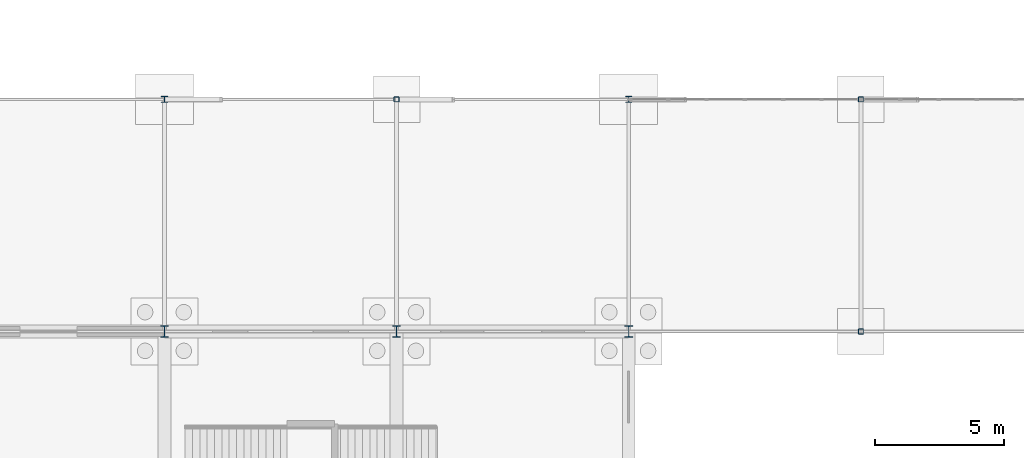
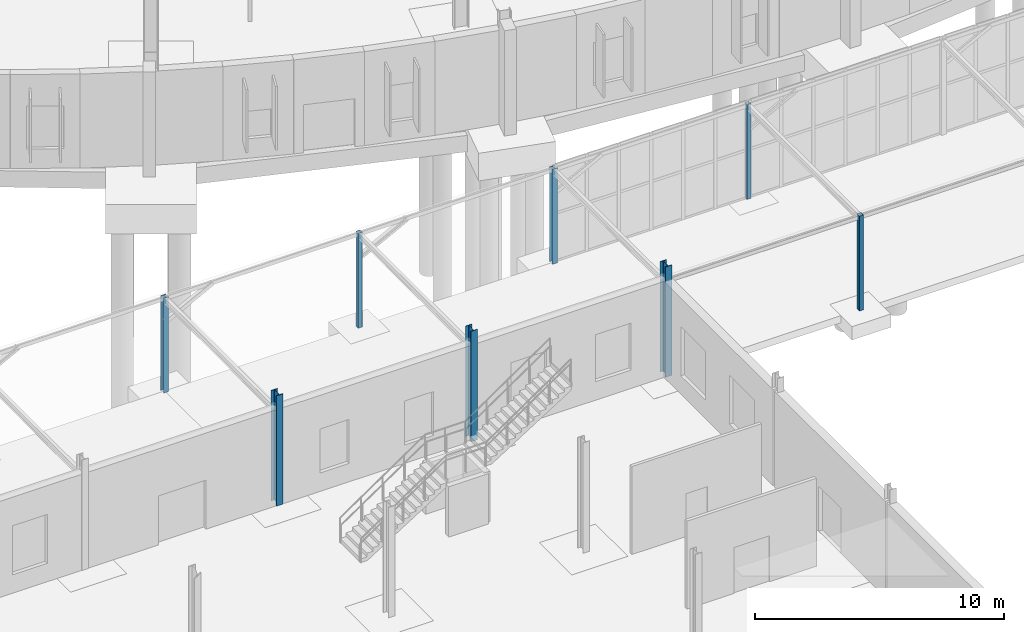
# One storey, part 20 of 118: 8 columns.
"""IFC4 building model written with IfcOpenShell, lengths in metres."""

import ifcopenshell
import ifcopenshell.guid

model = None  # the IFC model being written
_history = None  # IfcOwnerHistory: only IFC2X3 demands one
_inside = {}  # id of a spatial element -> (the spatial element, [elements in it])
_under = {}  # id of a project, library or spatial element -> (it, [spatial elements below it])
_declared = {}  # id of a project -> (the project, [libraries it declares])
_typed = {}  # id of a type object -> (the type object, [elements of that type])
_made_of = {}  # id of a material, layer set ... -> (it, [elements and type objects made of it])


def new_model(schema):
    """Start an empty IFC model of exactly this schema.

    Asked for "IFC4X3", IfcOpenShell would pick the latest addendum, in which some entities
    have other attributes; the version numbers below select the first issue.
    IFC2X3 requires an IfcOwnerHistory on every rooted entity: one is made here for all.
    """
    global model, _history
    if schema == "IFC4X3":
        model = ifcopenshell.file(schema_version=(4, 3, 0, 0))
    else:
        model = ifcopenshell.file(schema=schema)
    _inside.clear()
    _under.clear()
    _declared.clear()
    _typed.clear()
    _made_of.clear()
    _history = None
    if model.schema == "IFC2X3":
        org = make("IfcOrganization", Name="unknown")
        user = make(
            "IfcPersonAndOrganization",
            ThePerson=make("IfcPerson", FamilyName="unknown"),
            TheOrganization=org,
        )
        app = make(
            "IfcApplication",
            ApplicationDeveloper=org,
            Version="unknown",
            ApplicationFullName="unknown",
            ApplicationIdentifier="unknown",
        )
        _history = make(
            "IfcOwnerHistory",
            OwningUser=user,
            OwningApplication=app,
            ChangeAction="ADDED",
            CreationDate=0,
        )
    return model


def make(cls, **values):
    """One entity of the class cls with the attributes given. An attribute that is None is left unset."""
    return model.create_entity(
        cls, **{name: value for name, value in values.items() if value is not None}
    )


def rooted(cls, **values):
    """An entity with a GlobalId (a new one), such as an element, a storey or a relation."""
    return make(cls, GlobalId=ifcopenshell.guid.new(), OwnerHistory=_history, **values)


def si_unit(unit_type, name, prefix=None):
    """IfcSIUnit, for example si_unit("LENGTHUNIT", "METRE", prefix="MILLI")."""
    return make("IfcSIUnit", UnitType=unit_type, Prefix=prefix, Name=name)


def assignment(units):
    """IfcUnitAssignment: the units of a project."""
    return None if units is None else make("IfcUnitAssignment", Units=units)


def point(xyz):
    """IfcCartesianPoint."""
    return None if xyz is None else make("IfcCartesianPoint", Coordinates=xyz)


def direction(xyz):
    """IfcDirection."""
    return None if xyz is None else make("IfcDirection", DirectionRatios=xyz)


def frame(location, z_axis=None, x_axis=None):
    """IfcAxis2Placement3D, a coordinate frame: its origin and axes. An axis left out is left unset."""
    return make(
        "IfcAxis2Placement3D",
        Location=point(location),
        Axis=direction(z_axis),
        RefDirection=direction(x_axis),
    )


def frame_2d(location, x_axis=None):
    """IfcAxis2Placement2D, a coordinate frame in the plane: its origin and x axis."""
    return make(
        "IfcAxis2Placement2D", Location=point(location), RefDirection=direction(x_axis)
    )


def origin():
    """The frame at (0, 0, 0) with its axes left unset."""
    return frame((0.0, 0.0, 0.0))


def origin_2d():
    """The frame at (0, 0) in the plane with its x axis left unset."""
    return frame_2d((0.0, 0.0))


def place(relative_to, where):
    """IfcLocalPlacement: puts the frame where relative to a parent placement (None: the world)."""
    return make(
        "IfcLocalPlacement", PlacementRelTo=relative_to, RelativePlacement=where
    )


def context(
    kind, dimensions, precision=None, world=None, true_north=None, identifier=None
):
    """IfcGeometricRepresentationContext, for example the 3D "Model" context."""
    return make(
        "IfcGeometricRepresentationContext",
        ContextIdentifier=identifier,
        ContextType=kind,
        CoordinateSpaceDimension=dimensions,
        Precision=precision,
        WorldCoordinateSystem=world,
        TrueNorth=true_north,
    )


def subcontext(parent, identifier, kind, view, scale=None):
    """IfcGeometricRepresentationSubContext, for example "Body" below "Model"."""
    return make(
        "IfcGeometricRepresentationSubContext",
        ContextIdentifier=identifier,
        ContextType=kind,
        ParentContext=parent,
        TargetScale=scale,
        TargetView=view,
    )


def project(units=None, contexts=None):
    """IfcProject with its units and contexts."""
    return rooted(
        "IfcProject",
        Name="project",
        RepresentationContexts=contexts,
        UnitsInContext=assignment(units),
    )


def spatial(cls, under=None, at=None, **own):
    """A site, building, storey or space (cls), placed at a placement, below another one or the project."""
    s = rooted(cls, ObjectPlacement=at, **own)
    if under is not None:
        _under.setdefault(under.id(), (under, []))[1].append(s)
    return s


def profile(cls, at=None, kind="AREA", **sizes):
    """A parametric profile (cls). Its sizes go by their IFC names, for example OverallWidth=200.0."""
    return make(cls, ProfileType=kind, Position=at, **sizes)


def hollow_rectangle(**sizes):
    """IfcRectangleHollowProfileDef."""
    return profile("IfcRectangleHollowProfileDef", **sizes)


def i_section(**sizes):
    """IfcIShapeProfileDef."""
    return profile("IfcIShapeProfileDef", **sizes)


def extrude(swept, where, along, depth):
    """IfcExtrudedAreaSolid: the profile swept, set in the frame where, extruded along a direction by depth."""
    return make(
        "IfcExtrudedAreaSolid",
        SweptArea=swept,
        Position=where,
        ExtrudedDirection=direction(along),
        Depth=depth,
    )


def shape(context_of_items, identifier, shape_type, items):
    """IfcShapeRepresentation: the items that make up one representation, for example the "Body"."""
    return make(
        "IfcShapeRepresentation",
        ContextOfItems=context_of_items,
        RepresentationIdentifier=identifier,
        RepresentationType=shape_type,
        Items=items,
    )


def material(Name=None, Category=None):
    """IfcMaterial."""
    return make("IfcMaterial", Name=Name, Category=Category)


def material_profile(
    of_material, cross_section, Name=None, Category=None, Priority=None
):
    """IfcMaterialProfile: a cross section and its material."""
    return make(
        "IfcMaterialProfile",
        Name=Name,
        Material=of_material,
        Profile=cross_section,
        Priority=Priority,
        Category=Category,
    )


def profile_set(profiles, Name=None, composite=None):
    """IfcMaterialProfileSet."""
    return make(
        "IfcMaterialProfileSet",
        Name=Name,
        MaterialProfiles=profiles,
        CompositeProfile=composite,
    )


def made_of(thing, what):
    """Note that an element or type object is made of a material, layer set ...; save() writes the relation."""
    if what is not None:
        _made_of.setdefault(what.id(), (what, []))[1].append(thing)
    return thing


def type_object(cls, material=None, **own):
    """A type object (cls), such as IfcWallType, which elements share."""
    return made_of(rooted(cls, **own), material)


def element(
    cls,
    number,
    at=None,
    inside=None,
    cuts=None,
    type_object=None,
    material=None,
    context=None,
    identifier="Body",
    shape_type=None,
    held_by="IfcProductDefinitionShape",
    body=None,
    shapes=None,
    **own,
):
    """One element of the class cls, such as IfcWall. Its Tag is "e" and its number.

    at: its placement. inside: the storey or other place that contains it. cuts: it is an
    opening in that element (IfcRelVoidsElement). A single representation is given by context,
    identifier, shape_type and body (its items); several are given by shapes. held_by: the class
    of the entity that holds the representations. save() writes the other relations.
    """
    e = rooted(cls, Tag="e%d" % number, ObjectPlacement=at, **own)
    if body is not None:
        shapes = [shape(context, identifier, shape_type, body)]
    if shapes is not None:
        e.Representation = make(held_by, Representations=shapes)
    if inside is not None:
        _inside.setdefault(inside.id(), (inside, []))[1].append(e)
    if cuts is not None:
        rooted(
            "IfcRelVoidsElement", RelatingBuildingElement=cuts, RelatedOpeningElement=e
        )
    if type_object is not None:
        _typed.setdefault(type_object.id(), (type_object, []))[1].append(e)
    return made_of(e, material)


def aggregate(whole, parts):
    """IfcRelAggregates: a whole, such as a stair, and the parts it consists of."""
    return rooted("IfcRelAggregates", RelatingObject=whole, RelatedObjects=parts)


def save(model, path):
    """Write the relations noted so far, then the file.

    IfcRelAggregates (storeys below a building ...), IfcRelContainedInSpatialStructure (elements
    in a storey), IfcRelDefinesByType, IfcRelAssociatesMaterial and IfcRelDeclares: one each for
    every whole, place, type object, material and project.
    """
    for whole, parts in _under.values():
        aggregate(whole, parts)
    for where, things in _inside.values():
        rooted(
            "IfcRelContainedInSpatialStructure",
            RelatedElements=things,
            RelatingStructure=where,
        )
    for kind, things in _typed.values():
        rooted("IfcRelDefinesByType", RelatedObjects=things, RelatingType=kind)
    for what, things in _made_of.values():
        rooted("IfcRelAssociatesMaterial", RelatedObjects=things, RelatingMaterial=what)
    for by, libraries in _declared.values():
        rooted("IfcRelDeclares", RelatingContext=by, RelatedDefinitions=libraries)
    model.write(path)


model = new_model("IFC4")

# Units and contexts
model_context = context("Model", 3, precision=1e-05, world=origin(), true_north=direction((0.0, 1.0)))
body_context = subcontext(model_context, "Body", "Model", "MODEL_VIEW")
ifc_project = project(units=[si_unit("LENGTHUNIT", "METRE"), si_unit("AREAUNIT", "SQUARE_METRE"), si_unit("VOLUMEUNIT", "CUBIC_METRE"), si_unit("PLANEANGLEUNIT", "RADIAN"), si_unit("MASSUNIT", "GRAM", prefix="KILO")], contexts=[model_context])

# Site, building, storey
site_placement = place(None, origin())
site = spatial("IfcSite", under=ifc_project, at=site_placement, CompositionType="ELEMENT")
building_placement = place(site_placement, origin())
building = spatial("IfcBuilding", under=site, at=building_placement, Name="Kildeholm Park Wholesale Market", CompositionType="ELEMENT")
storey_placement = place(building_placement, origin())
storey = spatial("IfcBuildingStorey", under=building, at=storey_placement, Name="L00", CompositionType="ELEMENT", Elevation=0.0)

# Columns
ifc_material = material(Name="Steel S355", Category="steel")
ifc_material_profile_1 = material_profile(ifc_material, i_section(OverallWidth=0.239990234375, OverallDepth=0.239990234375, WebThickness=0.010009765625, FlangeThickness=0.01708984375, FilletRadius=0.02099609375, at=origin_2d()), Name="HEB 240")
ifc_profile_set_1 = profile_set([ifc_material_profile_1], Name="Steel S355")
column_type_1 = type_object("IfcColumnType", Name="Column C-S01 HEB 240", PredefinedType="COLUMN", material=ifc_profile_set_1)
for number, where, z_axis, x_axis, name in (
    (1, (63.0, 36.0, 0.0), (0.0, 0.0, 1.0), (1.0, 0.0, 0.0), "Public passage column 063-036 COL-0885"),
    (2, (81.0, 36.0, 0.0), (0.0, 0.0, 1.0), (1.0, 0.0, 0.0), "Public passage column 081-036 COL-0887"),
):
    element("IfcColumn", number, at=place(storey_placement, frame(where, z_axis=z_axis, x_axis=x_axis)), inside=storey, type_object=column_type_1, Name=name, PredefinedType="COLUMN", context=body_context, shape_type="SweptSolid", body=[
        extrude(i_section(OverallWidth=0.239990234375, OverallDepth=0.239990234375, WebThickness=0.010009765625, FlangeThickness=0.01708984375, FilletRadius=0.02099609375, at=origin_2d()), origin(), (0.0, 0.0, 1.0), 4.639892578125),
    ])
ifc_material_profile_2 = material_profile(ifc_material, i_section(OverallWidth=0.300048828125, OverallDepth=0.449951171875, WebThickness=0.013916015625, FlangeThickness=0.02587890625, FilletRadius=0.027099609375, at=origin_2d()), Name="HEB 450")
ifc_profile_set_2 = profile_set([ifc_material_profile_2], Name="Steel S355")
column_type_2 = type_object("IfcColumnType", Name="Column C-S06 HEB 450", PredefinedType="COLUMN", material=ifc_profile_set_2)
for number, where, z_axis, x_axis, name in (
    (3, (63.0, 27.0, 0.0), (0.0, 0.0, 1.0), (1.0, 0.0, 0.0), "Column V5W-063-027 L00 COL-0733"),
    (4, (72.0, 27.0, 0.0), (0.0, 0.0, 1.0), (1.0, 0.0, 0.0), "Column V5W-072-027 L00 COL-0747"),
    (5, (81.0, 27.0, 0.0), (0.0, 0.0, 1.0), (1.0, 0.0, 0.0), "Column V5W-081-027 L00 COL-0758"),
):
    element("IfcColumn", number, at=place(storey_placement, frame(where, z_axis=z_axis, x_axis=x_axis)), inside=storey, type_object=column_type_2, Name=name, PredefinedType="COLUMN", context=body_context, shape_type="SweptSolid", body=[
        extrude(i_section(OverallWidth=0.300048828125, OverallDepth=0.449951171875, WebThickness=0.013916015625, FlangeThickness=0.02587890625, FilletRadius=0.027099609375, at=origin_2d()), origin(), (0.0, 0.0, 1.0), 5.39990234375),
    ])
ifc_material_profile_3 = material_profile(ifc_material, hollow_rectangle(XDim=0.199951171875, YDim=0.199951171875, WallThickness=0.012451171875, InnerFilletRadius=0.012451171875, OuterFilletRadius=0.02490234375, at=origin_2d()), Name="SHS 200x200x12.5")
ifc_profile_set_3 = profile_set([ifc_material_profile_3], Name="Steel S355")
column_type_3 = type_object("IfcColumnType", Name="Column C-S12 SHS 200x200x12.5", PredefinedType="COLUMN", material=ifc_profile_set_3)
for number, where, z_axis, x_axis, name in (
    (6, (72.0, 36.0, 0.0), (0.0, 0.0, 1.0), (1.0, 0.0, 0.0), "Public passage column 072-036 COL-0886"),
    (7, (90.0, 27.0, 0.0), (0.0, 0.0, 1.0), (1.0, 0.0, 0.0), "Public passage column 090-027 COL-0888"),
    (8, (90.0, 36.0, 0.0), (0.0, 0.0, 1.0), (1.0, 0.0, 0.0), "Public passage column 090-036 COL-0889"),
):
    element("IfcColumn", number, at=place(storey_placement, frame(where, z_axis=z_axis, x_axis=x_axis)), inside=storey, type_object=column_type_3, Name=name, PredefinedType="COLUMN", context=body_context, shape_type="SweptSolid", body=[
        extrude(hollow_rectangle(XDim=0.199951171875, YDim=0.199951171875, WallThickness=0.012451171875, InnerFilletRadius=0.012451171875, OuterFilletRadius=0.02490234375, at=origin_2d()), origin(), (0.0, 0.0, 1.0), 4.639892578125),
    ])

save(model, "model.ifc")
